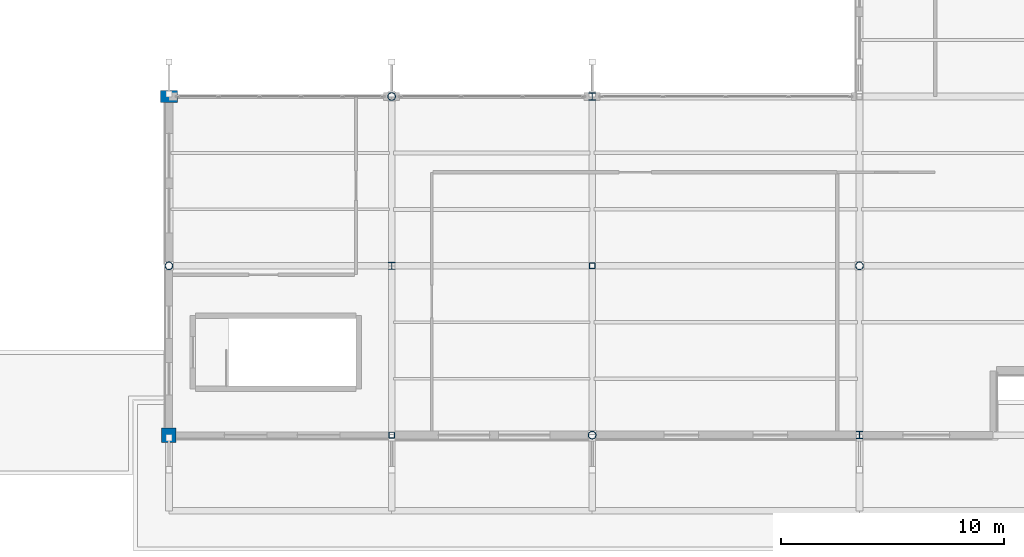
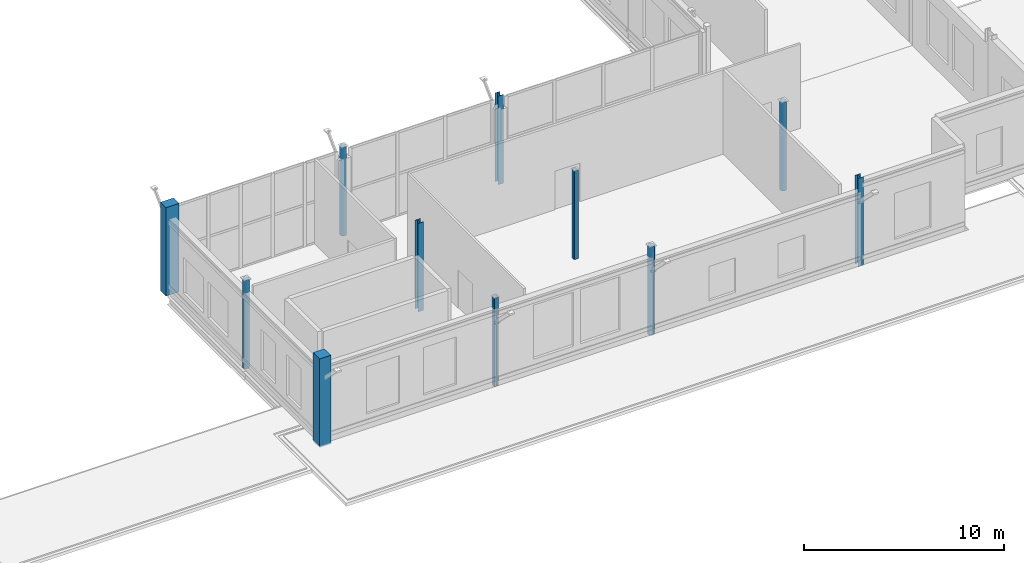
# One storey, part 15 of 147: 11 columns.
"""IFC4 building model written with IfcOpenShell, lengths in metres."""

import ifcopenshell
import ifcopenshell.guid

model = None  # the IFC model being written
_history = None  # IfcOwnerHistory: only IFC2X3 demands one
_inside = {}  # id of a spatial element -> (the spatial element, [elements in it])
_under = {}  # id of a project, library or spatial element -> (it, [spatial elements below it])
_declared = {}  # id of a project -> (the project, [libraries it declares])
_typed = {}  # id of a type object -> (the type object, [elements of that type])
_made_of = {}  # id of a material, layer set ... -> (it, [elements and type objects made of it])


def new_model(schema):
    """Start an empty IFC model of exactly this schema.

    Asked for "IFC4X3", IfcOpenShell would pick the latest addendum, in which some entities
    have other attributes; the version numbers below select the first issue.
    IFC2X3 requires an IfcOwnerHistory on every rooted entity: one is made here for all.
    """
    global model, _history
    if schema == "IFC4X3":
        model = ifcopenshell.file(schema_version=(4, 3, 0, 0))
    else:
        model = ifcopenshell.file(schema=schema)
    _inside.clear()
    _under.clear()
    _declared.clear()
    _typed.clear()
    _made_of.clear()
    _history = None
    if model.schema == "IFC2X3":
        org = make("IfcOrganization", Name="unknown")
        user = make(
            "IfcPersonAndOrganization",
            ThePerson=make("IfcPerson", FamilyName="unknown"),
            TheOrganization=org,
        )
        app = make(
            "IfcApplication",
            ApplicationDeveloper=org,
            Version="unknown",
            ApplicationFullName="unknown",
            ApplicationIdentifier="unknown",
        )
        _history = make(
            "IfcOwnerHistory",
            OwningUser=user,
            OwningApplication=app,
            ChangeAction="ADDED",
            CreationDate=0,
        )
    return model


def make(cls, **values):
    """One entity of the class cls with the attributes given. An attribute that is None is left unset."""
    return model.create_entity(
        cls, **{name: value for name, value in values.items() if value is not None}
    )


def rooted(cls, **values):
    """An entity with a GlobalId (a new one), such as an element, a storey or a relation."""
    return make(cls, GlobalId=ifcopenshell.guid.new(), OwnerHistory=_history, **values)


def si_unit(unit_type, name, prefix=None):
    """IfcSIUnit, for example si_unit("LENGTHUNIT", "METRE", prefix="MILLI")."""
    return make("IfcSIUnit", UnitType=unit_type, Prefix=prefix, Name=name)


def assignment(units):
    """IfcUnitAssignment: the units of a project."""
    return None if units is None else make("IfcUnitAssignment", Units=units)


def point(xyz):
    """IfcCartesianPoint."""
    return None if xyz is None else make("IfcCartesianPoint", Coordinates=xyz)


def direction(xyz):
    """IfcDirection."""
    return None if xyz is None else make("IfcDirection", DirectionRatios=xyz)


def frame(location, z_axis=None, x_axis=None):
    """IfcAxis2Placement3D, a coordinate frame: its origin and axes. An axis left out is left unset."""
    return make(
        "IfcAxis2Placement3D",
        Location=point(location),
        Axis=direction(z_axis),
        RefDirection=direction(x_axis),
    )


def frame_2d(location, x_axis=None):
    """IfcAxis2Placement2D, a coordinate frame in the plane: its origin and x axis."""
    return make(
        "IfcAxis2Placement2D", Location=point(location), RefDirection=direction(x_axis)
    )


def origin():
    """The frame at (0, 0, 0) with its axes left unset."""
    return frame((0.0, 0.0, 0.0))


def origin_2d():
    """The frame at (0, 0) in the plane with its x axis left unset."""
    return frame_2d((0.0, 0.0))


def place(relative_to, where):
    """IfcLocalPlacement: puts the frame where relative to a parent placement (None: the world)."""
    return make(
        "IfcLocalPlacement", PlacementRelTo=relative_to, RelativePlacement=where
    )


def context(
    kind, dimensions, precision=None, world=None, true_north=None, identifier=None
):
    """IfcGeometricRepresentationContext, for example the 3D "Model" context."""
    return make(
        "IfcGeometricRepresentationContext",
        ContextIdentifier=identifier,
        ContextType=kind,
        CoordinateSpaceDimension=dimensions,
        Precision=precision,
        WorldCoordinateSystem=world,
        TrueNorth=true_north,
    )


def subcontext(parent, identifier, kind, view, scale=None):
    """IfcGeometricRepresentationSubContext, for example "Body" below "Model"."""
    return make(
        "IfcGeometricRepresentationSubContext",
        ContextIdentifier=identifier,
        ContextType=kind,
        ParentContext=parent,
        TargetScale=scale,
        TargetView=view,
    )


def project(units=None, contexts=None):
    """IfcProject with its units and contexts."""
    return rooted(
        "IfcProject",
        Name="project",
        RepresentationContexts=contexts,
        UnitsInContext=assignment(units),
    )


def spatial(cls, under=None, at=None, **own):
    """A site, building, storey or space (cls), placed at a placement, below another one or the project."""
    s = rooted(cls, ObjectPlacement=at, **own)
    if under is not None:
        _under.setdefault(under.id(), (under, []))[1].append(s)
    return s


def profile(cls, at=None, kind="AREA", **sizes):
    """A parametric profile (cls). Its sizes go by their IFC names, for example OverallWidth=200.0."""
    return make(cls, ProfileType=kind, Position=at, **sizes)


def rectangle(**sizes):
    """IfcRectangleProfileDef."""
    return profile("IfcRectangleProfileDef", **sizes)


def hollow_rectangle(**sizes):
    """IfcRectangleHollowProfileDef."""
    return profile("IfcRectangleHollowProfileDef", **sizes)


def hollow_circle(**sizes):
    """IfcCircleHollowProfileDef."""
    return profile("IfcCircleHollowProfileDef", **sizes)


def i_section(**sizes):
    """IfcIShapeProfileDef."""
    return profile("IfcIShapeProfileDef", **sizes)


def extrude(swept, where, along, depth):
    """IfcExtrudedAreaSolid: the profile swept, set in the frame where, extruded along a direction by depth."""
    return make(
        "IfcExtrudedAreaSolid",
        SweptArea=swept,
        Position=where,
        ExtrudedDirection=direction(along),
        Depth=depth,
    )


def shape(context_of_items, identifier, shape_type, items):
    """IfcShapeRepresentation: the items that make up one representation, for example the "Body"."""
    return make(
        "IfcShapeRepresentation",
        ContextOfItems=context_of_items,
        RepresentationIdentifier=identifier,
        RepresentationType=shape_type,
        Items=items,
    )


def material(Name=None, Category=None):
    """IfcMaterial."""
    return make("IfcMaterial", Name=Name, Category=Category)


def material_profile(
    of_material, cross_section, Name=None, Category=None, Priority=None
):
    """IfcMaterialProfile: a cross section and its material."""
    return make(
        "IfcMaterialProfile",
        Name=Name,
        Material=of_material,
        Profile=cross_section,
        Priority=Priority,
        Category=Category,
    )


def profile_set(profiles, Name=None, composite=None):
    """IfcMaterialProfileSet."""
    return make(
        "IfcMaterialProfileSet",
        Name=Name,
        MaterialProfiles=profiles,
        CompositeProfile=composite,
    )


def made_of(thing, what):
    """Note that an element or type object is made of a material, layer set ...; save() writes the relation."""
    if what is not None:
        _made_of.setdefault(what.id(), (what, []))[1].append(thing)
    return thing


def type_object(cls, material=None, **own):
    """A type object (cls), such as IfcWallType, which elements share."""
    return made_of(rooted(cls, **own), material)


def element(
    cls,
    number,
    at=None,
    inside=None,
    cuts=None,
    type_object=None,
    material=None,
    context=None,
    identifier="Body",
    shape_type=None,
    held_by="IfcProductDefinitionShape",
    body=None,
    shapes=None,
    **own,
):
    """One element of the class cls, such as IfcWall. Its Tag is "e" and its number.

    at: its placement. inside: the storey or other place that contains it. cuts: it is an
    opening in that element (IfcRelVoidsElement). A single representation is given by context,
    identifier, shape_type and body (its items); several are given by shapes. held_by: the class
    of the entity that holds the representations. save() writes the other relations.
    """
    e = rooted(cls, Tag="e%d" % number, ObjectPlacement=at, **own)
    if body is not None:
        shapes = [shape(context, identifier, shape_type, body)]
    if shapes is not None:
        e.Representation = make(held_by, Representations=shapes)
    if inside is not None:
        _inside.setdefault(inside.id(), (inside, []))[1].append(e)
    if cuts is not None:
        rooted(
            "IfcRelVoidsElement", RelatingBuildingElement=cuts, RelatedOpeningElement=e
        )
    if type_object is not None:
        _typed.setdefault(type_object.id(), (type_object, []))[1].append(e)
    return made_of(e, material)


def aggregate(whole, parts):
    """IfcRelAggregates: a whole, such as a stair, and the parts it consists of."""
    return rooted("IfcRelAggregates", RelatingObject=whole, RelatedObjects=parts)


def save(model, path):
    """Write the relations noted so far, then the file.

    IfcRelAggregates (storeys below a building ...), IfcRelContainedInSpatialStructure (elements
    in a storey), IfcRelDefinesByType, IfcRelAssociatesMaterial and IfcRelDeclares: one each for
    every whole, place, type object, material and project.
    """
    for whole, parts in _under.values():
        aggregate(whole, parts)
    for where, things in _inside.values():
        rooted(
            "IfcRelContainedInSpatialStructure",
            RelatedElements=things,
            RelatingStructure=where,
        )
    for kind, things in _typed.values():
        rooted("IfcRelDefinesByType", RelatedObjects=things, RelatingType=kind)
    for what, things in _made_of.values():
        rooted("IfcRelAssociatesMaterial", RelatedObjects=things, RelatingMaterial=what)
    for by, libraries in _declared.values():
        rooted("IfcRelDeclares", RelatingContext=by, RelatedDefinitions=libraries)
    model.write(path)


model = new_model("IFC4")

# Units and contexts
model_context = context("Model", 3, precision=1e-05, world=origin(), true_north=direction((0.0, 1.0)))
body_context = subcontext(model_context, "Body", "Model", "MODEL_VIEW")
ifc_project = project(units=[si_unit("LENGTHUNIT", "METRE"), si_unit("AREAUNIT", "SQUARE_METRE"), si_unit("VOLUMEUNIT", "CUBIC_METRE"), si_unit("PLANEANGLEUNIT", "RADIAN"), si_unit("MASSUNIT", "GRAM", prefix="KILO")], contexts=[model_context])

# Site, building, storey
site_placement = place(None, origin())
site = spatial("IfcSite", under=ifc_project, at=site_placement, CompositionType="ELEMENT")
building_placement = place(site_placement, origin())
building = spatial("IfcBuilding", under=site, at=building_placement, Name="Vekula Escarpment Museum", CompositionType="ELEMENT")
storey_placement = place(building_placement, frame((0.0, 0.0, 7.800048828125)))
storey = spatial("IfcBuildingStorey", under=building, at=storey_placement, Name="L02", CompositionType="ELEMENT", Elevation=7.800048828125)

# Columns
ifc_material_1 = material(Name="Steel S355", Category="steel")
ifc_material_profile_1 = material_profile(ifc_material_1, hollow_circle(Radius=0.177734375, WallThickness=0.01611328125, at=origin_2d()), Name="CHS 355.6x16")
ifc_profile_set_1 = profile_set([ifc_material_profile_1], Name="Steel S355")
column_type_1 = type_object("IfcColumnType", Name="COL-S-CHS355", PredefinedType="COLUMN", material=ifc_profile_set_1)
for number, where, z_axis, x_axis, name in (
    (1, (136.0, 7.60009765625, 0.0), (0.0, 0.0, 1.0), (1.0, 0.0, 0.0), "Column L02 (136.0,7.6)"),
    (2, (146.0, 15.199951171875, 0.0), (0.0, 0.0, 1.0), (1.0, 0.0, 0.0), "Column L02 (146.0,15.2)"),
    (3, (155.0, 0.0, 0.0), (0.0, 0.0, 1.0), (1.0, 0.0, 0.0), "Column L02 (155.0,0.0)"),
    (4, (167.0, 7.60009765625, 0.0), (0.0, 0.0, 1.0), (1.0, 0.0, 0.0), "Column L02 (167.0,7.6)"),
):
    element("IfcColumn", number, at=place(storey_placement, frame(where, z_axis=z_axis, x_axis=x_axis)), inside=storey, type_object=column_type_1, Name=name, PredefinedType="COLUMN", context=body_context, shape_type="SweptSolid", body=[
        extrude(hollow_circle(Radius=0.177734375, WallThickness=0.01611328125, at=origin_2d()), origin(), (0.0, 0.0, 1.0), 5.39990234375),
    ])
ifc_material_2 = material(Name="Steel S355", Category="steel")
ifc_material_profile_2 = material_profile(ifc_material_2, i_section(OverallWidth=0.300048828125, OverallDepth=0.330078125, WebThickness=0.009521484375, FlangeThickness=0.0166015625, FilletRadius=0.027099609375, at=origin_2d()), Name="HEA 340")
ifc_profile_set_2 = profile_set([ifc_material_profile_2], Name="Steel S355")
column_type_2 = type_object("IfcColumnType", Name="COL-S-HEA340", PredefinedType="COLUMN", material=ifc_profile_set_2)
for number, where, z_axis, x_axis, name in (
    (5, (146.0, 7.60009765625, 0.0), (0.0, 0.0, 1.0), (1.0, 0.0, 0.0), "Column L02 (146.0,7.6)"),
    (6, (155.0, 15.199951171875, 0.0), (0.0, 0.0, 1.0), (1.0, 0.0, 0.0), "Column L02 (155.0,15.2)"),
    (7, (167.0, 0.0, 0.0), (0.0, 0.0, 1.0), (1.0, 0.0, 0.0), "Column L02 (167.0,0.0)"),
):
    element("IfcColumn", number, at=place(storey_placement, frame(where, z_axis=z_axis, x_axis=x_axis)), inside=storey, type_object=column_type_2, Name=name, PredefinedType="COLUMN", context=body_context, shape_type="SweptSolid", body=[
        extrude(i_section(OverallWidth=0.300048828125, OverallDepth=0.330078125, WebThickness=0.009521484375, FlangeThickness=0.0166015625, FilletRadius=0.027099609375, at=origin_2d()), origin(), (0.0, 0.0, 1.0), 5.39990234375),
    ])
ifc_material_3 = material(Name="Steel S355", Category="steel")
ifc_material_profile_3 = material_profile(ifc_material_3, hollow_rectangle(XDim=0.260009765625, YDim=0.260009765625, WallThickness=0.012451171875, InnerFilletRadius=0.012451171875, OuterFilletRadius=0.02490234375, at=origin_2d()), Name="SHS 260x260x12.5")
ifc_profile_set_3 = profile_set([ifc_material_profile_3], Name="Steel S355")
column_type_3 = type_object("IfcColumnType", Name="COL-S-SHS260", PredefinedType="COLUMN", material=ifc_profile_set_3)
for number, where, z_axis, x_axis, name in (
    (8, (146.0, 0.0, 0.0), (0.0, 0.0, 1.0), (1.0, 0.0, 0.0), "Column L02 (146.0,0.0)"),
    (9, (155.0, 7.60009765625, 0.0), (0.0, 0.0, 1.0), (1.0, 0.0, 0.0), "Column L02 (155.0,7.6)"),
):
    element("IfcColumn", number, at=place(storey_placement, frame(where, z_axis=z_axis, x_axis=x_axis)), inside=storey, type_object=column_type_3, Name=name, PredefinedType="COLUMN", context=body_context, shape_type="SweptSolid", body=[
        extrude(hollow_rectangle(XDim=0.260009765625, YDim=0.260009765625, WallThickness=0.012451171875, InnerFilletRadius=0.012451171875, OuterFilletRadius=0.02490234375, at=origin_2d()), origin(), (0.0, 0.0, 1.0), 5.39990234375),
    ])
ifc_material_4 = material(Name="Inkisi arkosic sandstone masonry", Category="masonry")
ifc_material_profile_4 = material_profile(ifc_material_4, rectangle(XDim=0.64990234375, YDim=0.64990234375, at=origin_2d()), Name="PIER 650x650")
ifc_profile_set_4 = profile_set([ifc_material_profile_4], Name="Inkisi arkosic sandstone masonry")
column_type_4 = type_object("IfcColumnType", Name="PIL-ALM-650", PredefinedType="PILASTER", material=ifc_profile_set_4)
column_1_placement = place(storey_placement, frame((136.0, 0.0, 0.0), z_axis=(0.0, 0.0, 1.0), x_axis=(1.0, 0.0, 0.0)))
element("IfcColumn", 10, at=column_1_placement, inside=storey, type_object=column_type_4, Name="Column L02 (136.0,0.0)", PredefinedType="PILASTER", context=body_context, shape_type="SweptSolid", body=[
    extrude(rectangle(XDim=0.64990234375, YDim=0.64990234375, at=origin_2d()), origin(), (0.0, 0.0, 1.0), 5.39990234375),
])
ifc_material_5 = material(Name="Inkisi arkosic sandstone masonry", Category="masonry")
ifc_material_profile_5 = material_profile(ifc_material_5, rectangle(XDim=0.75, YDim=0.550048828125, at=origin_2d()), Name="PIER 750x550")
ifc_profile_set_5 = profile_set([ifc_material_profile_5], Name="Inkisi arkosic sandstone masonry")
column_type_5 = type_object("IfcColumnType", Name="PIL-ALM-750", PredefinedType="PILASTER", material=ifc_profile_set_5)
column_2_placement = place(storey_placement, frame((136.0, 15.199951171875, 0.0), z_axis=(0.0, 0.0, 1.0), x_axis=(1.0, 0.0, 0.0)))
element("IfcColumn", 11, at=column_2_placement, inside=storey, type_object=column_type_5, Name="Column L02 (136.0,15.2)", PredefinedType="PILASTER", context=body_context, shape_type="SweptSolid", body=[
    extrude(rectangle(XDim=0.75, YDim=0.550048828125, at=origin_2d()), origin(), (0.0, 0.0, 1.0), 5.39990234375),
])

save(model, "model.ifc")
